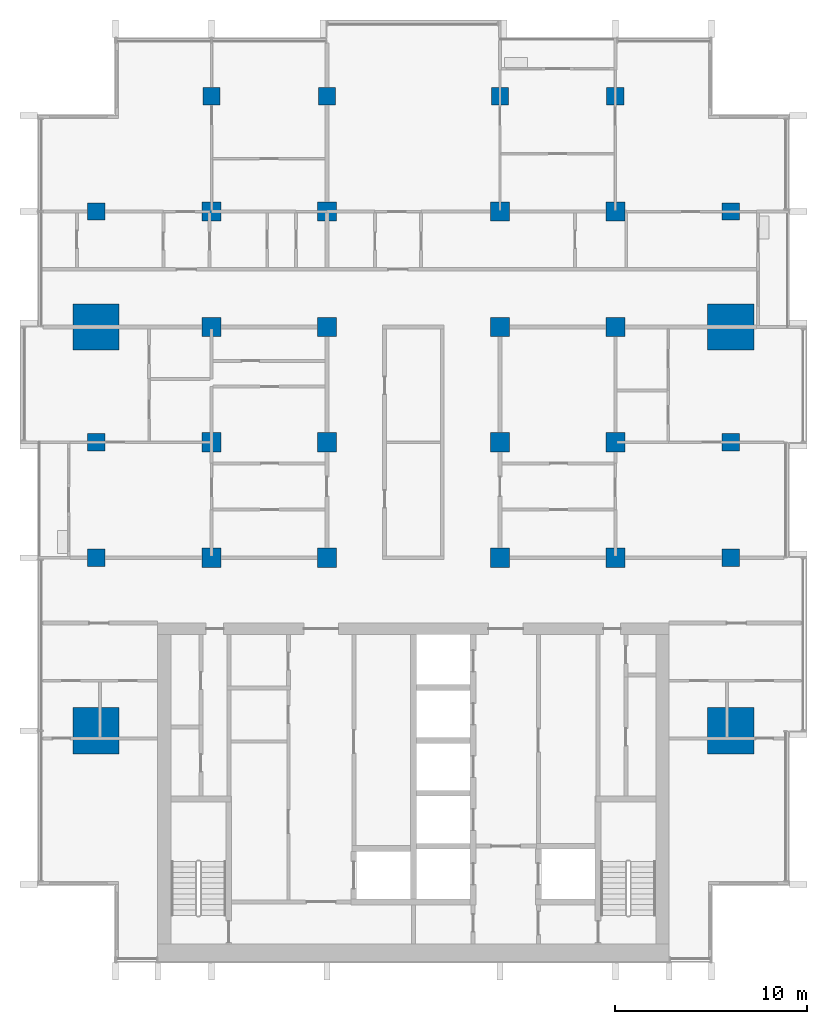
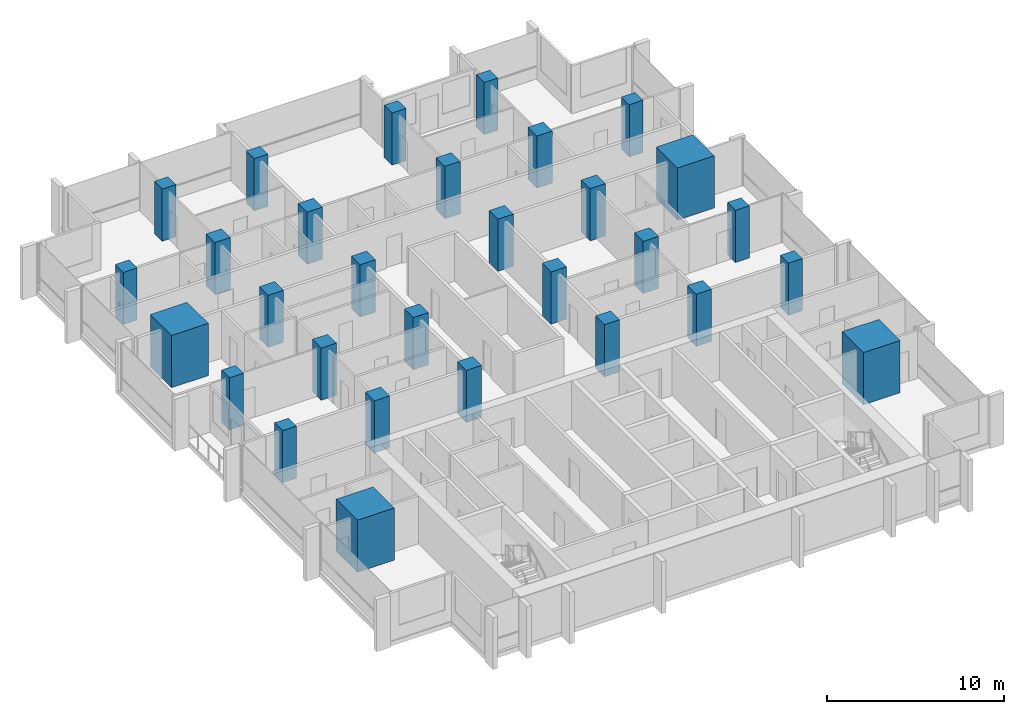
# One storey, part 1 of 17: 30 columns.
"""IFC4 building model written with IfcOpenShell, lengths in metres."""

from ifc_helpers import new_model, si_unit, direction, frame, origin, origin_2d, place, context, subcontext, project, spatial, rectangle, extrude, material, material_profile, profile_set, type_object, element, save


model = new_model("IFC4")

# Units and contexts
model_context = context("Model", 3, precision=1e-05, world=origin(), true_north=direction((0.0, 1.0)))
body_context = subcontext(model_context, "Body", "Model", "MODEL_VIEW")
ifc_project = project(units=[si_unit("LENGTHUNIT", "METRE"), si_unit("AREAUNIT", "SQUARE_METRE"), si_unit("VOLUMEUNIT", "CUBIC_METRE"), si_unit("PLANEANGLEUNIT", "RADIAN"), si_unit("MASSUNIT", "GRAM", prefix="KILO")], contexts=[model_context])

# Site, building, storey
site_placement = place(None, origin())
site = spatial("IfcSite", under=ifc_project, at=site_placement, CompositionType="ELEMENT")
building_placement = place(site_placement, origin())
building = spatial("IfcBuilding", under=site, at=building_placement, Name="Finial Court Residences", CompositionType="ELEMENT")
storey_placement = place(building_placement, frame((0.0, 0.0, 192.5)))
storey = spatial("IfcBuildingStorey", under=building, at=storey_placement, Name="L48", CompositionType="ELEMENT", Elevation=192.5)

# Columns
ifc_material = material(Name="Concrete C60/75", Category="concrete")
ifc_material_profile_1 = material_profile(ifc_material, rectangle(XDim=1.0, YDim=1.0, at=origin_2d()), Name="1000x1000")
ifc_profile_set_1 = profile_set([ifc_material_profile_1], Name="Concrete C60/75")
column_type_1 = type_object("IfcColumnType", Name="Interior column 1000x1000 Concrete C60/75", PredefinedType="COLUMN", material=ifc_profile_set_1)
for number, where, z_axis, x_axis, name in (
    (1, (-10.5, -4.5, 0.0), (0.0, 0.0, 1.0), (1.0, 0.0, 0.0), "S:COL:L48:D4"),
    (2, (-10.5, 1.5, 0.0), (0.0, 0.0, 1.0), (1.0, 0.0, 0.0), "S:COL:L48:D5"),
    (3, (-10.5, 7.5, 0.0), (0.0, 0.0, 1.0), (1.0, 0.0, 0.0), "S:COL:L48:D6"),
    (4, (-10.5, 13.5, 0.0), (0.0, 0.0, 1.0), (1.0, 0.0, 0.0), "S:COL:L48:D7"),
    (5, (-4.5, -4.5, 0.0), (0.0, 0.0, 1.0), (1.0, 0.0, 0.0), "S:COL:L48:E4"),
    (6, (-4.5, 1.5, 0.0), (0.0, 0.0, 1.0), (1.0, 0.0, 0.0), "S:COL:L48:E5"),
    (7, (-4.5, 7.5, 0.0), (0.0, 0.0, 1.0), (1.0, 0.0, 0.0), "S:COL:L48:E6"),
    (8, (-4.5, 13.5, 0.0), (0.0, 0.0, 1.0), (1.0, 0.0, 0.0), "S:COL:L48:E7"),
    (9, (4.5, -4.5, 0.0), (0.0, 0.0, 1.0), (1.0, 0.0, 0.0), "S:COL:L48:F4"),
    (10, (4.5, 1.5, 0.0), (0.0, 0.0, 1.0), (1.0, 0.0, 0.0), "S:COL:L48:F5"),
    (11, (4.5, 7.5, 0.0), (0.0, 0.0, 1.0), (1.0, 0.0, 0.0), "S:COL:L48:F6"),
    (12, (4.5, 13.5, 0.0), (0.0, 0.0, 1.0), (1.0, 0.0, 0.0), "S:COL:L48:F7"),
    (13, (10.5, -4.5, 0.0), (0.0, 0.0, 1.0), (1.0, 0.0, 0.0), "S:COL:L48:G4"),
    (14, (10.5, 1.5, 0.0), (0.0, 0.0, 1.0), (1.0, 0.0, 0.0), "S:COL:L48:G5"),
    (15, (10.5, 7.5, 0.0), (0.0, 0.0, 1.0), (1.0, 0.0, 0.0), "S:COL:L48:G6"),
    (16, (10.5, 13.5, 0.0), (0.0, 0.0, 1.0), (1.0, 0.0, 0.0), "S:COL:L48:G7"),
):
    element("IfcColumn", number, at=place(storey_placement, frame(where, z_axis=z_axis, x_axis=x_axis)), inside=storey, type_object=column_type_1, Name=name, PredefinedType="COLUMN", context=body_context, shape_type="SweptSolid", body=[
        extrude(rectangle(XDim=1.0, YDim=1.0, at=origin_2d()), origin(), (0.0, 0.0, 1.0), 3.60009765625),
    ])
ifc_material_profile_2 = material_profile(ifc_material, rectangle(XDim=2.39990234375, YDim=2.39990234375, at=origin_2d()), Name="2400x2400")
ifc_profile_set_2 = profile_set([ifc_material_profile_2], Name="Concrete C60/75")
column_type_2 = type_object("IfcColumnType", Name="Mega column 2400x2400 Concrete C60/75", PredefinedType="COLUMN", material=ifc_profile_set_2)
for number, where, z_axis, x_axis, name in (
    (17, (-16.5, -13.5, 0.0), (0.0, 0.0, 1.0), (1.0, 0.0, 0.0), "S:COL:L48:C3"),
    (18, (-16.5, 7.5, 0.0), (0.0, 0.0, 1.0), (1.0, 0.0, 0.0), "S:COL:L48:C6"),
    (19, (16.5, -13.5, 0.0), (0.0, 0.0, 1.0), (1.0, 0.0, 0.0), "S:COL:L48:H3"),
    (20, (16.5, 7.5, 0.0), (0.0, 0.0, 1.0), (1.0, 0.0, 0.0), "S:COL:L48:H6"),
):
    element("IfcColumn", number, at=place(storey_placement, frame(where, z_axis=z_axis, x_axis=x_axis)), inside=storey, type_object=column_type_2, Name=name, PredefinedType="COLUMN", context=body_context, shape_type="SweptSolid", body=[
        extrude(rectangle(XDim=2.39990234375, YDim=2.39990234375, at=origin_2d()), origin(), (0.0, 0.0, 1.0), 3.60009765625),
    ])
ifc_material_profile_3 = material_profile(ifc_material, rectangle(XDim=0.89990234375, YDim=0.89990234375, at=origin_2d()), Name="900x900")
ifc_profile_set_3 = profile_set([ifc_material_profile_3], Name="Concrete C60/75")
column_type_3 = type_object("IfcColumnType", Name="Perimeter column 900x900 Concrete C60/75", PredefinedType="COLUMN", material=ifc_profile_set_3)
for number, where, z_axis, x_axis, name in (
    (21, (-16.5, -4.5, 0.0), (0.0, 0.0, 1.0), (1.0, 0.0, 0.0), "S:COL:L48:C4"),
    (22, (-16.5, 1.5, 0.0), (0.0, 0.0, 1.0), (1.0, 0.0, 0.0), "S:COL:L48:C5"),
    (23, (-16.5, 13.5, 0.0), (0.0, 0.0, 1.0), (1.0, 0.0, 0.0), "S:COL:L48:C7"),
    (24, (-10.5, 19.5, 0.0), (0.0, 0.0, 1.0), (1.0, 0.0, 0.0), "S:COL:L48:D8"),
    (25, (-4.5, 19.5, 0.0), (0.0, 0.0, 1.0), (1.0, 0.0, 0.0), "S:COL:L48:E8"),
    (26, (4.5, 19.5, 0.0), (0.0, 0.0, 1.0), (1.0, 0.0, 0.0), "S:COL:L48:F8"),
    (27, (10.5, 19.5, 0.0), (0.0, 0.0, 1.0), (1.0, 0.0, 0.0), "S:COL:L48:G8"),
    (28, (16.5, -4.5, 0.0), (0.0, 0.0, 1.0), (1.0, 0.0, 0.0), "S:COL:L48:H4"),
    (29, (16.5, 1.5, 0.0), (0.0, 0.0, 1.0), (1.0, 0.0, 0.0), "S:COL:L48:H5"),
    (30, (16.5, 13.5, 0.0), (0.0, 0.0, 1.0), (1.0, 0.0, 0.0), "S:COL:L48:H7"),
):
    element("IfcColumn", number, at=place(storey_placement, frame(where, z_axis=z_axis, x_axis=x_axis)), inside=storey, type_object=column_type_3, Name=name, PredefinedType="COLUMN", context=body_context, shape_type="SweptSolid", body=[
        extrude(rectangle(XDim=0.89990234375, YDim=0.89990234375, at=origin_2d()), origin(), (0.0, 0.0, 1.0), 3.60009765625),
    ])

save(model, "model.ifc")
